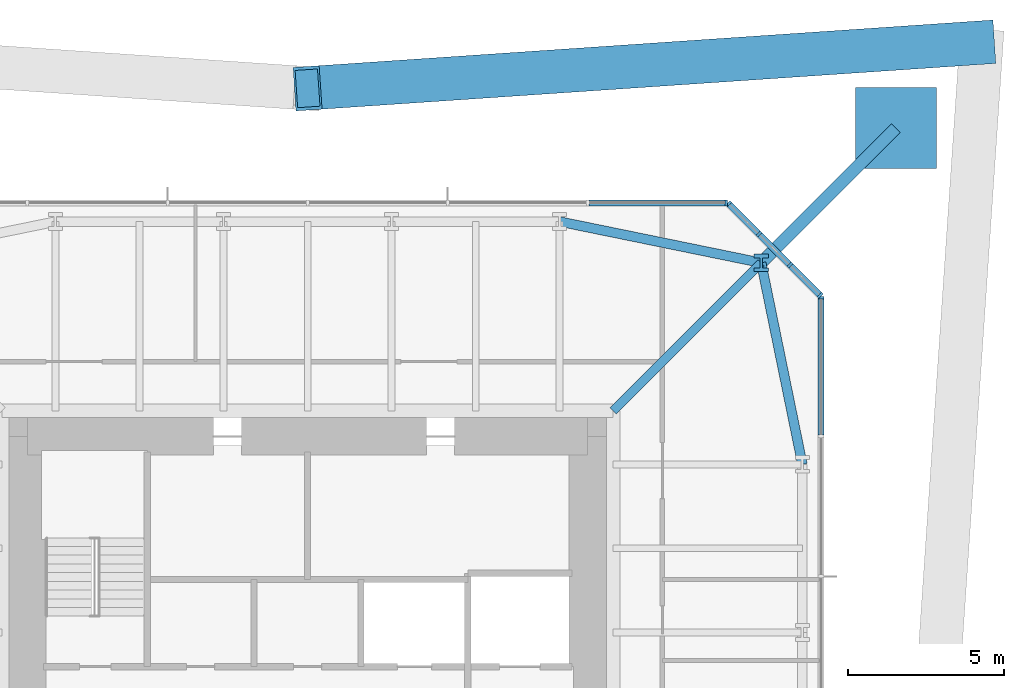
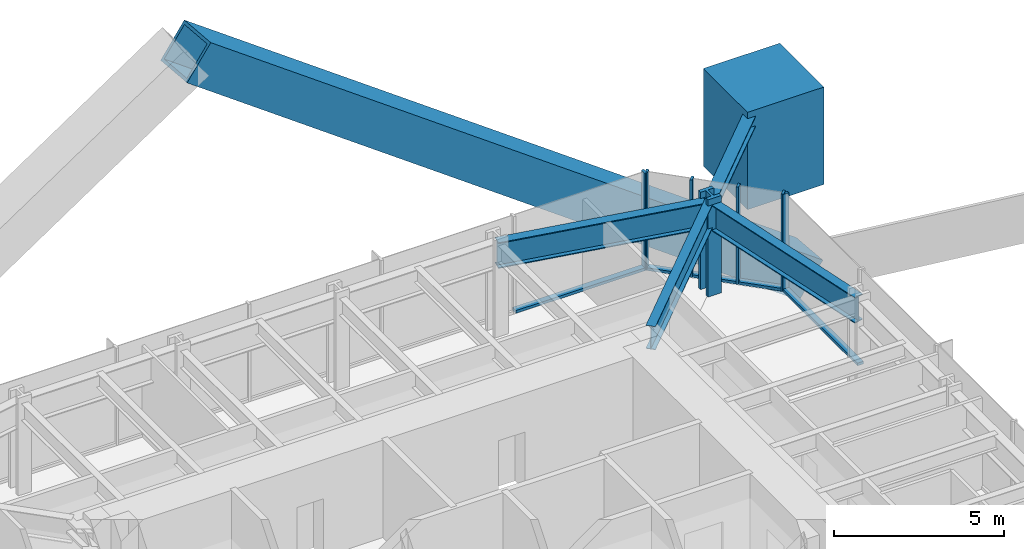
# One storey, part 7 of 11: 15 members, 3 beams, 3 elements without a shape of their own.
"""IFC4 building model written with IfcOpenShell, lengths in metres."""

import ifcopenshell
import ifcopenshell.guid

model = None  # the IFC model being written
_history = None  # IfcOwnerHistory: only IFC2X3 demands one
_inside = {}  # id of a spatial element -> (the spatial element, [elements in it])
_under = {}  # id of a project, library or spatial element -> (it, [spatial elements below it])
_declared = {}  # id of a project -> (the project, [libraries it declares])
_typed = {}  # id of a type object -> (the type object, [elements of that type])
_made_of = {}  # id of a material, layer set ... -> (it, [elements and type objects made of it])


def new_model(schema):
    """Start an empty IFC model of exactly this schema.

    Asked for "IFC4X3", IfcOpenShell would pick the latest addendum, in which some entities
    have other attributes; the version numbers below select the first issue.
    IFC2X3 requires an IfcOwnerHistory on every rooted entity: one is made here for all.
    """
    global model, _history
    if schema == "IFC4X3":
        model = ifcopenshell.file(schema_version=(4, 3, 0, 0))
    else:
        model = ifcopenshell.file(schema=schema)
    _inside.clear()
    _under.clear()
    _declared.clear()
    _typed.clear()
    _made_of.clear()
    _history = None
    if model.schema == "IFC2X3":
        org = make("IfcOrganization", Name="unknown")
        user = make(
            "IfcPersonAndOrganization",
            ThePerson=make("IfcPerson", FamilyName="unknown"),
            TheOrganization=org,
        )
        app = make(
            "IfcApplication",
            ApplicationDeveloper=org,
            Version="unknown",
            ApplicationFullName="unknown",
            ApplicationIdentifier="unknown",
        )
        _history = make(
            "IfcOwnerHistory",
            OwningUser=user,
            OwningApplication=app,
            ChangeAction="ADDED",
            CreationDate=0,
        )
    return model


def make(cls, **values):
    """One entity of the class cls with the attributes given. An attribute that is None is left unset."""
    return model.create_entity(
        cls, **{name: value for name, value in values.items() if value is not None}
    )


def rooted(cls, **values):
    """An entity with a GlobalId (a new one), such as an element, a storey or a relation."""
    return make(cls, GlobalId=ifcopenshell.guid.new(), OwnerHistory=_history, **values)


def si_unit(unit_type, name, prefix=None):
    """IfcSIUnit, for example si_unit("LENGTHUNIT", "METRE", prefix="MILLI")."""
    return make("IfcSIUnit", UnitType=unit_type, Prefix=prefix, Name=name)


def assignment(units):
    """IfcUnitAssignment: the units of a project."""
    return None if units is None else make("IfcUnitAssignment", Units=units)


def point(xyz):
    """IfcCartesianPoint."""
    return None if xyz is None else make("IfcCartesianPoint", Coordinates=xyz)


def direction(xyz):
    """IfcDirection."""
    return None if xyz is None else make("IfcDirection", DirectionRatios=xyz)


def frame(location, z_axis=None, x_axis=None):
    """IfcAxis2Placement3D, a coordinate frame: its origin and axes. An axis left out is left unset."""
    return make(
        "IfcAxis2Placement3D",
        Location=point(location),
        Axis=direction(z_axis),
        RefDirection=direction(x_axis),
    )


def frame_2d(location, x_axis=None):
    """IfcAxis2Placement2D, a coordinate frame in the plane: its origin and x axis."""
    return make(
        "IfcAxis2Placement2D", Location=point(location), RefDirection=direction(x_axis)
    )


def origin():
    """The frame at (0, 0, 0) with its axes left unset."""
    return frame((0.0, 0.0, 0.0))


def origin_2d():
    """The frame at (0, 0) in the plane with its x axis left unset."""
    return frame_2d((0.0, 0.0))


def place(relative_to, where):
    """IfcLocalPlacement: puts the frame where relative to a parent placement (None: the world)."""
    return make(
        "IfcLocalPlacement", PlacementRelTo=relative_to, RelativePlacement=where
    )


def context(
    kind, dimensions, precision=None, world=None, true_north=None, identifier=None
):
    """IfcGeometricRepresentationContext, for example the 3D "Model" context."""
    return make(
        "IfcGeometricRepresentationContext",
        ContextIdentifier=identifier,
        ContextType=kind,
        CoordinateSpaceDimension=dimensions,
        Precision=precision,
        WorldCoordinateSystem=world,
        TrueNorth=true_north,
    )


def subcontext(parent, identifier, kind, view, scale=None):
    """IfcGeometricRepresentationSubContext, for example "Body" below "Model"."""
    return make(
        "IfcGeometricRepresentationSubContext",
        ContextIdentifier=identifier,
        ContextType=kind,
        ParentContext=parent,
        TargetScale=scale,
        TargetView=view,
    )


def project(units=None, contexts=None):
    """IfcProject with its units and contexts."""
    return rooted(
        "IfcProject",
        Name="project",
        RepresentationContexts=contexts,
        UnitsInContext=assignment(units),
    )


def spatial(cls, under=None, at=None, **own):
    """A site, building, storey or space (cls), placed at a placement, below another one or the project."""
    s = rooted(cls, ObjectPlacement=at, **own)
    if under is not None:
        _under.setdefault(under.id(), (under, []))[1].append(s)
    return s


def profile(cls, at=None, kind="AREA", **sizes):
    """A parametric profile (cls). Its sizes go by their IFC names, for example OverallWidth=200.0."""
    return make(cls, ProfileType=kind, Position=at, **sizes)


def rectangle(**sizes):
    """IfcRectangleProfileDef."""
    return profile("IfcRectangleProfileDef", **sizes)


def hollow_rectangle(**sizes):
    """IfcRectangleHollowProfileDef."""
    return profile("IfcRectangleHollowProfileDef", **sizes)


def i_section(**sizes):
    """IfcIShapeProfileDef."""
    return profile("IfcIShapeProfileDef", **sizes)


def extrude(swept, where, along, depth):
    """IfcExtrudedAreaSolid: the profile swept, set in the frame where, extruded along a direction by depth."""
    return make(
        "IfcExtrudedAreaSolid",
        SweptArea=swept,
        Position=where,
        ExtrudedDirection=direction(along),
        Depth=depth,
    )


def shape(context_of_items, identifier, shape_type, items):
    """IfcShapeRepresentation: the items that make up one representation, for example the "Body"."""
    return make(
        "IfcShapeRepresentation",
        ContextOfItems=context_of_items,
        RepresentationIdentifier=identifier,
        RepresentationType=shape_type,
        Items=items,
    )


def material(Name=None, Category=None):
    """IfcMaterial."""
    return make("IfcMaterial", Name=Name, Category=Category)


def material_profile(
    of_material, cross_section, Name=None, Category=None, Priority=None
):
    """IfcMaterialProfile: a cross section and its material."""
    return make(
        "IfcMaterialProfile",
        Name=Name,
        Material=of_material,
        Profile=cross_section,
        Priority=Priority,
        Category=Category,
    )


def profile_set(profiles, Name=None, composite=None):
    """IfcMaterialProfileSet."""
    return make(
        "IfcMaterialProfileSet",
        Name=Name,
        MaterialProfiles=profiles,
        CompositeProfile=composite,
    )


def made_of(thing, what):
    """Note that an element or type object is made of a material, layer set ...; save() writes the relation."""
    if what is not None:
        _made_of.setdefault(what.id(), (what, []))[1].append(thing)
    return thing


def type_object(cls, material=None, **own):
    """A type object (cls), such as IfcWallType, which elements share."""
    return made_of(rooted(cls, **own), material)


def element(
    cls,
    number,
    at=None,
    inside=None,
    cuts=None,
    type_object=None,
    material=None,
    context=None,
    identifier="Body",
    shape_type=None,
    held_by="IfcProductDefinitionShape",
    body=None,
    shapes=None,
    **own,
):
    """One element of the class cls, such as IfcWall. Its Tag is "e" and its number.

    at: its placement. inside: the storey or other place that contains it. cuts: it is an
    opening in that element (IfcRelVoidsElement). A single representation is given by context,
    identifier, shape_type and body (its items); several are given by shapes. held_by: the class
    of the entity that holds the representations. save() writes the other relations.
    """
    e = rooted(cls, Tag="e%d" % number, ObjectPlacement=at, **own)
    if body is not None:
        shapes = [shape(context, identifier, shape_type, body)]
    if shapes is not None:
        e.Representation = make(held_by, Representations=shapes)
    if inside is not None:
        _inside.setdefault(inside.id(), (inside, []))[1].append(e)
    if cuts is not None:
        rooted(
            "IfcRelVoidsElement", RelatingBuildingElement=cuts, RelatedOpeningElement=e
        )
    if type_object is not None:
        _typed.setdefault(type_object.id(), (type_object, []))[1].append(e)
    return made_of(e, material)


def aggregate(whole, parts):
    """IfcRelAggregates: a whole, such as a stair, and the parts it consists of."""
    return rooted("IfcRelAggregates", RelatingObject=whole, RelatedObjects=parts)


def save(model, path):
    """Write the relations noted so far, then the file.

    IfcRelAggregates (storeys below a building ...), IfcRelContainedInSpatialStructure (elements
    in a storey), IfcRelDefinesByType, IfcRelAssociatesMaterial and IfcRelDeclares: one each for
    every whole, place, type object, material and project.
    """
    for whole, parts in _under.values():
        aggregate(whole, parts)
    for where, things in _inside.values():
        rooted(
            "IfcRelContainedInSpatialStructure",
            RelatedElements=things,
            RelatingStructure=where,
        )
    for kind, things in _typed.values():
        rooted("IfcRelDefinesByType", RelatedObjects=things, RelatingType=kind)
    for what, things in _made_of.values():
        rooted("IfcRelAssociatesMaterial", RelatedObjects=things, RelatingMaterial=what)
    for by, libraries in _declared.values():
        rooted("IfcRelDeclares", RelatingContext=by, RelatedDefinitions=libraries)
    model.write(path)


model = new_model("IFC4")

# Units and contexts
model_context = context("Model", 3, precision=1e-05, world=origin(), true_north=direction((0.0, 1.0)))
body_context = subcontext(model_context, "Body", "Model", "MODEL_VIEW")
ifc_project = project(units=[si_unit("LENGTHUNIT", "METRE"), si_unit("AREAUNIT", "SQUARE_METRE"), si_unit("VOLUMEUNIT", "CUBIC_METRE"), si_unit("PLANEANGLEUNIT", "RADIAN"), si_unit("MASSUNIT", "GRAM", prefix="KILO")], contexts=[model_context])

# Site, building, storey
site_placement = place(None, origin())
site = spatial("IfcSite", under=ifc_project, at=site_placement, CompositionType="ELEMENT")
building_placement = place(site_placement, origin())
building = spatial("IfcBuilding", under=site, at=building_placement, Name="Iwan Alto Co-Living Towers", CompositionType="ELEMENT")
storey_placement = place(building_placement, frame((0.0, 0.0, 215.0)))
storey = spatial("IfcBuildingStorey", under=building, at=storey_placement, Name="L58", CompositionType="ELEMENT", Elevation=215.0)

# Curtain wall, member
ifc_material_1 = material(Name="Bronze aluminium unitised frame", Category="aluminium")
curtain_wall_type_1 = type_object("IfcCurtainWallType", Name="CURTAIN WALL CW-A", PredefinedType="NOTDEFINED", material=ifc_material_1)
curtain_wall_1_placement = place(storey_placement, origin())
curtain_wall_1 = element("IfcCurtainWall", 1, at=curtain_wall_1_placement, inside=storey, type_object=curtain_wall_type_1, Name="T1 curtain wall E L58", PredefinedType="NOTDEFINED")
ifc_material_2 = material(Name="Aluminium 6063-T6 bronze anodised", Category="aluminium")
ifc_material_profile_1 = material_profile(ifc_material_2, rectangle(XDim=0.199951171875, YDim=0.080078125, at=origin_2d()), Name="AL 80X200")
ifc_profile_set_1 = profile_set([ifc_material_profile_1], Name="Aluminium 6063-T6 bronze anodised")
member_type_1 = type_object("IfcMemberType", Name="CW-A MULLION 80X200", PredefinedType="MULLION", material=ifc_profile_set_1)
member_1_placement = place(storey_placement, frame((16.5, 13.4599609375, 0.0), z_axis=(0.0, 0.0, 1.0), x_axis=(-1.0, 0.0, 0.0)))
member_1 = element("IfcMember", 2, at=member_1_placement, type_object=member_type_1, Name="CW-A mullion 7", PredefinedType="MULLION", context=body_context, shape_type="SweptSolid", body=[
    extrude(rectangle(XDim=0.199951171875, YDim=0.080078125, at=origin_2d()), origin(), (0.0, 0.0, 1.0), 3.5),
])

curtain_wall_2_placement = place(storey_placement, origin())
curtain_wall_2 = element("IfcCurtainWall", 3, at=curtain_wall_2_placement, inside=storey, type_object=curtain_wall_type_1, Name="T1 curtain wall N L58", PredefinedType="NOTDEFINED")
member_2_placement = place(storey_placement, frame((13.4599609375, 16.5, 0.0), z_axis=(0.0, 0.0, 1.0), x_axis=(0.0, -1.0, 0.0)))
member_2 = element("IfcMember", 4, at=member_2_placement, type_object=member_type_1, Name="CW-A mullion 1", PredefinedType="MULLION", context=body_context, shape_type="SweptSolid", body=[
    extrude(rectangle(XDim=0.199951171875, YDim=0.080078125, at=origin_2d()), origin(), (0.0, 0.0, 1.0), 3.5),
])

# Member
ifc_material_3 = material(Name="Aluminium 6063-T6 bronze anodised", Category="aluminium")
ifc_material_profile_2 = material_profile(ifc_material_3, rectangle(XDim=0.199951171875, YDim=0.10009765625, at=origin_2d()), Name="AL 200X100")
ifc_profile_set_2 = profile_set([ifc_material_profile_2], Name="Aluminium 6063-T6 bronze anodised")
member_type_2 = type_object("IfcMemberType", Name="CW-A TRANSOM 200X100", PredefinedType="USERDEFINED", material=ifc_profile_set_2)
member_3_placement = place(storey_placement, frame((16.5, 9.0400390625, 0.050048828125), z_axis=(0.0, 1.0, 0.0), x_axis=(-1.0, 0.0, 0.0)))
member_3 = element("IfcMember", 5, at=member_3_placement, type_object=member_type_2, Name="CW-A transom 6.1", ObjectType="TRANSOM", PredefinedType="USERDEFINED", context=body_context, shape_type="SweptSolid", body=[
    extrude(rectangle(XDim=0.199951171875, YDim=0.10009765625, at=origin_2d()), origin(), (0.0, 0.0, 1.0), 4.3798828125),
])

aggregate(curtain_wall_1, [member_1, member_3])

member_4_placement = place(storey_placement, frame((13.419921875, 16.5, 0.050048828125), z_axis=(-1.0, 0.0, 0.0), x_axis=(0.0, -1.0, 0.0)))
member_4 = element("IfcMember", 6, at=member_4_placement, type_object=member_type_2, Name="CW-A transom 1.1", ObjectType="TRANSOM", PredefinedType="USERDEFINED", context=body_context, shape_type="SweptSolid", body=[
    extrude(rectangle(XDim=0.199951171875, YDim=0.10009765625, at=origin_2d()), origin(), (0.0, 0.0, 1.0), 4.3798828125),
])

aggregate(curtain_wall_2, [member_2, member_4])

# Curtain wall, members
ifc_material_4 = material(Name="Bronze aluminium unitised frame", Category="aluminium")
curtain_wall_type_2 = type_object("IfcCurtainWallType", Name="CURTAIN WALL CW-B", PredefinedType="NOTDEFINED", material=ifc_material_4)
curtain_wall_3_placement = place(storey_placement, origin())
curtain_wall_3 = element("IfcCurtainWall", 7, at=curtain_wall_3_placement, inside=storey, type_object=curtain_wall_type_2, Name="T1 chamfer curtain wall NE L58", PredefinedType="NOTDEFINED")
ifc_material_5 = material(Name="Aluminium 6063-T6 bronze anodised", Category="aluminium")
ifc_material_profile_3 = material_profile(ifc_material_5, rectangle(XDim=0.199951171875, YDim=0.080078125, at=origin_2d()), Name="AL 80X200")
ifc_profile_set_3 = profile_set([ifc_material_profile_3], Name="Aluminium 6063-T6 bronze anodised")
member_type_3 = type_object("IfcMemberType", Name="CW-B MULLION 80X200", PredefinedType="MULLION", material=ifc_profile_set_3)
member_5_placement = place(storey_placement, frame((16.4716796875, 13.5283203125, 0.0), z_axis=(0.0, 0.0, 1.0), x_axis=(-0.707106781187, -0.707106781187, 0.0)))
member_5 = element("IfcMember", 8, at=member_5_placement, type_object=member_type_3, Name="CW-B mullion 1", PredefinedType="MULLION", context=body_context, shape_type="SweptSolid", body=[
    extrude(rectangle(XDim=0.199951171875, YDim=0.080078125, at=origin_2d()), origin(), (0.0, 0.0, 1.0), 3.5),
])
member_6_placement = place(storey_placement, frame((15.5, 14.5, 0.0), z_axis=(0.0, 0.0, 1.0), x_axis=(-0.707106781187, -0.707106781187, 0.0)))
member_6 = element("IfcMember", 9, at=member_6_placement, type_object=member_type_3, Name="CW-B mullion 2", PredefinedType="MULLION", context=body_context, shape_type="SweptSolid", body=[
    extrude(rectangle(XDim=0.199951171875, YDim=0.080078125, at=origin_2d()), origin(), (0.0, 0.0, 1.0), 3.5),
])
member_7_placement = place(storey_placement, frame((14.5, 15.5, 0.0), z_axis=(0.0, 0.0, 1.0), x_axis=(-0.707106781187, -0.707106781187, 0.0)))
member_7 = element("IfcMember", 10, at=member_7_placement, type_object=member_type_3, Name="CW-B mullion 3", PredefinedType="MULLION", context=body_context, shape_type="SweptSolid", body=[
    extrude(rectangle(XDim=0.199951171875, YDim=0.080078125, at=origin_2d()), origin(), (0.0, 0.0, 1.0), 3.5),
])
member_8_placement = place(storey_placement, frame((13.5283203125, 16.4716796875, 0.0), z_axis=(0.0, 0.0, 1.0), x_axis=(-0.707106781187, -0.707106781187, 0.0)))
member_8 = element("IfcMember", 11, at=member_8_placement, type_object=member_type_3, Name="CW-B mullion 4", PredefinedType="MULLION", context=body_context, shape_type="SweptSolid", body=[
    extrude(rectangle(XDim=0.199951171875, YDim=0.080078125, at=origin_2d()), origin(), (0.0, 0.0, 1.0), 3.5),
])
ifc_material_6 = material(Name="Aluminium 6063-T6 bronze anodised", Category="aluminium")
ifc_material_profile_4 = material_profile(ifc_material_6, rectangle(XDim=0.199951171875, YDim=0.10009765625, at=origin_2d()), Name="AL 200X100")
ifc_profile_set_4 = profile_set([ifc_material_profile_4], Name="Aluminium 6063-T6 bronze anodised")
member_type_4 = type_object("IfcMemberType", Name="CW-B TRANSOM 200X100", PredefinedType="USERDEFINED", material=ifc_profile_set_4)
member_9_placement = place(storey_placement, frame((16.443359375, 13.556640625, 0.050048828125), z_axis=(-0.707106781187, 0.707106781187, 0.0), x_axis=(-0.707106781187, -0.707106781187, 0.0)))
member_9 = element("IfcMember", 12, at=member_9_placement, type_object=member_type_4, Name="CW-B transom 1.1", ObjectType="TRANSOM", PredefinedType="USERDEFINED", context=body_context, shape_type="SweptSolid", body=[
    extrude(rectangle(XDim=0.199951171875, YDim=0.10009765625, at=origin_2d()), origin(), (0.0, 0.0, 1.0), 1.2939453125),
])
member_10_placement = place(storey_placement, frame((15.4716796875, 14.5283203125, 0.050048828125), z_axis=(-0.707106781187, 0.707106781187, 0.0), x_axis=(-0.707106781187, -0.707106781187, 0.0)))
member_10 = element("IfcMember", 13, at=member_10_placement, type_object=member_type_4, Name="CW-B transom 2.1", ObjectType="TRANSOM", PredefinedType="USERDEFINED", context=body_context, shape_type="SweptSolid", body=[
    extrude(rectangle(XDim=0.199951171875, YDim=0.10009765625, at=origin_2d()), origin(), (0.0, 0.0, 1.0), 1.334228515625),
])
member_11_placement = place(storey_placement, frame((14.4716796875, 15.5283203125, 0.050048828125), z_axis=(-0.707106781187, 0.707106781187, 0.0), x_axis=(-0.707106781187, -0.707106781187, 0.0)))
member_11 = element("IfcMember", 14, at=member_11_placement, type_object=member_type_4, Name="CW-B transom 3.1", ObjectType="TRANSOM", PredefinedType="USERDEFINED", context=body_context, shape_type="SweptSolid", body=[
    extrude(rectangle(XDim=0.199951171875, YDim=0.10009765625, at=origin_2d()), origin(), (0.0, 0.0, 1.0), 1.2939453125),
])
aggregate(curtain_wall_3, [member_5, member_6, member_7, member_8, member_9, member_10, member_11])

# Beams
ifc_material_7 = material(Name="Steel ASTM A992 Gr 50", Category="steel")
ifc_material_profile_5 = material_profile(ifc_material_7, i_section(OverallWidth=0.2919921875, OverallDepth=0.8408203125, WebThickness=0.0146484375, FlangeThickness=0.021728515625, at=origin_2d()), Name="W33X130")
ifc_profile_set_5 = profile_set([ifc_material_profile_5], Name="Steel ASTM A992 Gr 50")
beam_type_1 = type_object("IfcBeamType", Name="T1 CORNER GIRDER W33X130", PredefinedType="BEAM", material=ifc_profile_set_5)
beam_placement = place(storey_placement, frame((14.57568359375, 14.57568359375, 2.849609375), z_axis=(-0.707106781187, -0.707106781187, 0.0), x_axis=(0.707106781187, -0.707106781187, 0.0)))
element("IfcBeam", 15, at=beam_placement, inside=storey, type_object=beam_type_1, Name="T1 corner girder CNE L59", PredefinedType="BEAM", context=body_context, shape_type="SweptSolid", body=[
    extrude(i_section(OverallWidth=0.2919921875, OverallDepth=0.8408203125, WebThickness=0.0146484375, FlangeThickness=0.021728515625, at=origin_2d()), origin(), (0.0, 0.0, 1.0), 6.727783203125),
])
ifc_material_8 = material(Name="Steel ASTM A992 Gr 50", Category="steel")
ifc_material_profile_6 = material_profile(ifc_material_8, i_section(OverallWidth=0.307373046875, OverallDepth=0.927001953125, WebThickness=0.01953125, FlangeThickness=0.031982421875, at=origin_2d()), Name="W36X194")
ifc_profile_set_6 = profile_set([ifc_material_profile_6], Name="Steel ASTM A992 Gr 50")
beam_type_2 = type_object("IfcBeamType", Name="T1 EDGE BEAM W36X194", PredefinedType="BEAM", material=ifc_profile_set_6)
for number, where, z_axis, x_axis, name in (
    (16, (15.89990234375, 8.10009765625, 2.806396484375), (-0.200347889618, 0.979724820103, 0.0), (-0.979724820103, -0.200347889618, 0.0), "T1 edge beam E4 L59"),
    (17, (14.57568359375, 14.57568359375, 2.806396484375), (-0.979724820103, 0.200347889618, 0.0), (-0.200347889618, -0.979724820103, 0.0), "T1 edge beam CNE L59"),
):
    element("IfcBeam", number, at=place(storey_placement, frame(where, z_axis=z_axis, x_axis=x_axis)), inside=storey, type_object=beam_type_2, Name=name, PredefinedType="BEAM", context=body_context, shape_type="SweptSolid", body=[
        extrude(i_section(OverallWidth=0.307373046875, OverallDepth=0.927001953125, WebThickness=0.01953125, FlangeThickness=0.031982421875, at=origin_2d()), origin(), (0.0, 0.0, 1.0), 6.609619140625),
    ])

# Members
ifc_material_9 = material(Name="Steel ASTM A572 Gr 50", Category="steel")
ifc_material_profile_7 = material_profile(ifc_material_9, hollow_rectangle(XDim=1.39990234375, YDim=1.39990234375, WallThickness=0.10009765625, at=origin_2d()), Name="BOX 1400X1400X100")
ifc_profile_set_7 = profile_set([ifc_material_profile_7], Name="Steel ASTM A572 Gr 50")
member_type_5 = type_object("IfcMemberType", Name="T1 MEGA BRACE BOX 1400X1400X100", PredefinedType="BRACE", material=ifc_profile_set_7)
member_12_placement = place(storey_placement, frame((21.64990234375, 21.64990234375, -6.0), z_axis=(-0.797999656611, -0.054119059235, 0.600223021448), x_axis=(0.067662975304, -0.997708234793, 0.0)))
element("IfcMember", 18, at=member_12_placement, inside=storey, type_object=member_type_5, Name="T1 mega brace Z4A N 1 lower", PredefinedType="BRACE", context=body_context, shape_type="SweptSolid", body=[
    extrude(hollow_rectangle(XDim=1.39990234375, YDim=1.39990234375, WallThickness=0.10009765625, at=origin_2d()), origin(), (0.0, 0.0, 1.0), 27.130126953125),
])
ifc_material_10 = material(Name="Steel ASTM A992 Gr 50", Category="steel")
ifc_material_profile_8 = material_profile(ifc_material_10, i_section(OverallWidth=0.393798828125, OverallDepth=0.3759765625, WebThickness=0.017333984375, FlangeThickness=0.027587890625, at=origin_2d()), Name="W14X145")
ifc_profile_set_8 = profile_set([ifc_material_profile_8], Name="Steel ASTM A992 Gr 50")
member_type_6 = type_object("IfcMemberType", Name="T1 MEGA COLUMN FLOOR TIE W14X145", PredefinedType="STRUT", material=ifc_profile_set_8)
member_13_placement = place(storey_placement, frame((18.89990234375, 18.89990234375, 3.08203125), z_axis=(-0.707106781187, -0.707106781187, 0.0), x_axis=(0.707106781187, -0.707106781187, 0.0)))
element("IfcMember", 19, at=member_13_placement, inside=storey, type_object=member_type_6, Name="T1 mega column floor tie NE L59", PredefinedType="STRUT", context=body_context, shape_type="SweptSolid", body=[
    extrude(i_section(OverallWidth=0.393798828125, OverallDepth=0.3759765625, WebThickness=0.017333984375, FlangeThickness=0.027587890625, at=origin_2d()), origin(), (0.0, 0.0, 1.0), 6.115478515625),
])
ifc_material_11 = material(Name="Concrete f'c 70 MPa", Category="concrete")
ifc_material_profile_9 = material_profile(ifc_material_11, rectangle(XDim=2.60009765625, YDim=2.60009765625, at=origin_2d()), Name="RC 2600X2600")
ifc_profile_set_9 = profile_set([ifc_material_profile_9], Name="Concrete f'c 70 MPa")
member_type_7 = type_object("IfcMemberType", Name="T1 MEGA POST AT STEP RC 2600X2600", PredefinedType="MEMBER", material=ifc_profile_set_9)
member_14_placement = place(storey_placement, frame((18.89990234375, 18.89990234375, 0.0), z_axis=(0.0, 0.0, 1.0), x_axis=(1.0, 0.0, 0.0)))
element("IfcMember", 20, at=member_14_placement, inside=storey, type_object=member_type_7, Name="T1 mega post at step NE L58", PredefinedType="MEMBER", context=body_context, shape_type="SweptSolid", body=[
    extrude(rectangle(XDim=2.60009765625, YDim=2.60009765625, at=origin_2d()), origin(), (0.0, 0.0, 1.0), 3.5),
    extrude(i_section(OverallWidth=0.4775390625, OverallDepth=0.599365234375, WebThickness=0.10009765625, FlangeThickness=0.139892578125, at=origin_2d()), origin(), (0.0, 0.0, 1.0), 3.5),
])
ifc_material_12 = material(Name="Steel ASTM A992 Gr 50", Category="steel")
ifc_material_profile_10 = material_profile(ifc_material_12, i_section(OverallWidth=0.45458984375, OverallDepth=0.56884765625, WebThickness=0.077880859375, FlangeThickness=0.124755859375, at=origin_2d()), Name="W14X730")
ifc_profile_set_10 = profile_set([ifc_material_profile_10], Name="Steel ASTM A992 Gr 50")
member_type_8 = type_object("IfcMemberType", Name="T1 RING POST AT STEP W14X730", PredefinedType="MEMBER", material=ifc_profile_set_10)
member_15_placement = place(storey_placement, frame((14.57568359375, 14.57568359375, 0.0), z_axis=(0.0, 0.0, 1.0), x_axis=(1.0, 0.0, 0.0)))
element("IfcMember", 21, at=member_15_placement, inside=storey, type_object=member_type_8, Name="T1 ring post at step CNE L58", PredefinedType="MEMBER", context=body_context, shape_type="SweptSolid", body=[
    extrude(i_section(OverallWidth=0.45458984375, OverallDepth=0.56884765625, WebThickness=0.077880859375, FlangeThickness=0.124755859375, at=origin_2d()), origin(), (0.0, 0.0, 1.0), 3.5),
])

save(model, "model.ifc")
